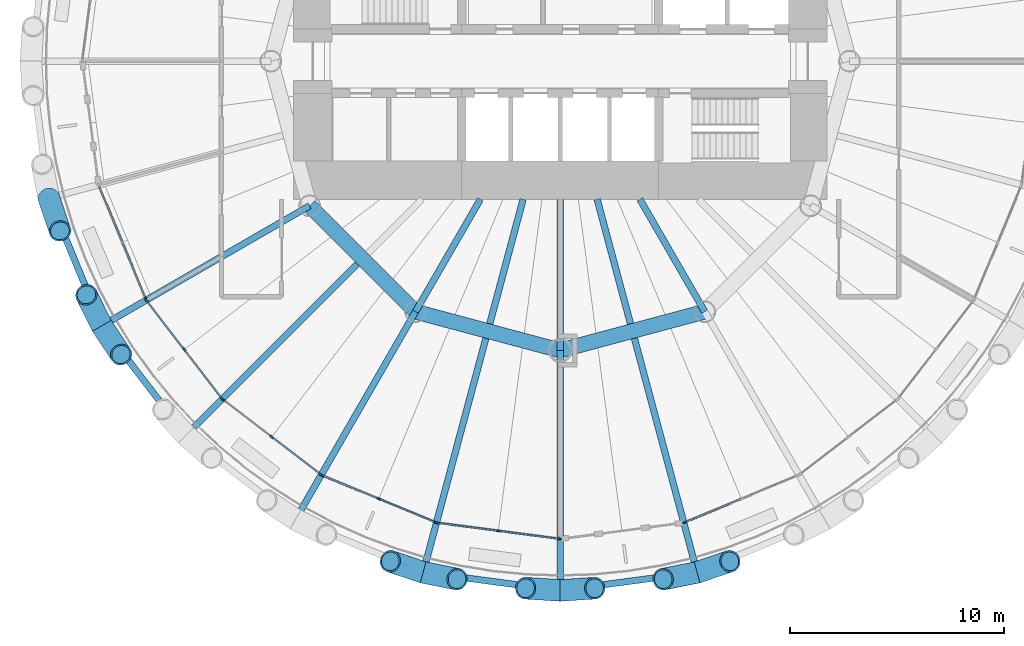
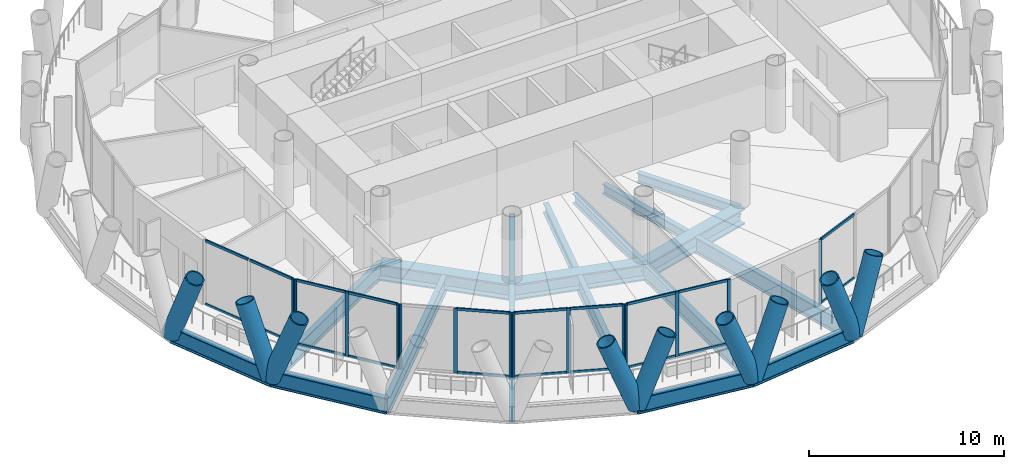
# One storey, part 2 of 14: 43 members, 18 beams, 6 elements without a shape of their own.
"""IFC4 building model written with IfcOpenShell, lengths in metres."""

from ifc_helpers import new_model, si_unit, direction, frame, origin, origin_2d, place, context, subcontext, project, spatial, rectangle, hollow_circle, i_section, extrude, material, material_profile, profile_set, type_object, element, aggregate, save


model = new_model("IFC4")

# Units and contexts
model_context = context("Model", 3, precision=1e-05, world=origin(), true_north=direction((0.0, 1.0)))
body_context = subcontext(model_context, "Body", "Model", "MODEL_VIEW")
ifc_project = project(units=[si_unit("LENGTHUNIT", "METRE"), si_unit("AREAUNIT", "SQUARE_METRE"), si_unit("VOLUMEUNIT", "CUBIC_METRE"), si_unit("PLANEANGLEUNIT", "RADIAN"), si_unit("MASSUNIT", "GRAM", prefix="KILO")], contexts=[model_context])

# Site, building, storey
site_placement = place(None, origin())
site = spatial("IfcSite", under=ifc_project, at=site_placement, CompositionType="ELEMENT")
building_placement = place(site_placement, origin())
building = spatial("IfcBuilding", under=site, at=building_placement, Name="Qaws Media Tower", CompositionType="ELEMENT")
storey_placement = place(building_placement, frame((0.0, 0.0, 160.39990234375)))
storey = spatial("IfcBuildingStorey", under=building, at=storey_placement, Name="L36", CompositionType="ELEMENT", Elevation=160.39990234375)

# Curtain wall, member
ifc_material_1 = material(Name="Aluminium and clear glass", Category="aluminium")
curtain_wall_type = type_object("IfcCurtainWallType", Name="Unitised curtain wall CW-B", PredefinedType="NOTDEFINED", material=ifc_material_1)
curtain_wall_1_placement = place(storey_placement, origin())
curtain_wall_1 = element("IfcCurtainWall", 1, at=curtain_wall_1_placement, inside=storey, type_object=curtain_wall_type, Name="CWB curtain wall L36-14", PredefinedType="NOTDEFINED")
ifc_material_2 = material(Name="Aluminium mullion", Category="aluminium")
ifc_material_profile_1 = material_profile(ifc_material_2, rectangle(XDim=0.080078125, YDim=0.199951171875, at=origin_2d()), Name="80x200")
ifc_profile_set_1 = profile_set([ifc_material_profile_1], Name="Aluminium mullion")
member_type_1 = type_object("IfcMemberType", Name="Curtain wall mullion 80x200", PredefinedType="MULLION", material=ifc_profile_set_1)
member_1_placement = place(storey_placement, frame((40.67236328125, 38.886962890625, 0.0), z_axis=(0.0, 0.0, 1.0), x_axis=(0.923879550732, 0.382683388377, 0.0)))
member_1 = element("IfcMember", 2, at=member_1_placement, type_object=member_type_1, Name="CWB mullion 3", PredefinedType="MULLION", context=body_context, shape_type="SweptSolid", body=[
    extrude(rectangle(XDim=0.080078125, YDim=0.199951171875, at=origin_2d()), origin(), (0.0, 0.0, 1.0), 4.0400390625),
])

# Curtain wall, members
curtain_wall_2_placement = place(storey_placement, origin())
curtain_wall_2 = element("IfcCurtainWall", 3, at=curtain_wall_2_placement, inside=storey, type_object=curtain_wall_type, Name="CWB curtain wall L36-15", PredefinedType="NOTDEFINED")
member_2_placement = place(storey_placement, frame((40.7119140625, 38.818359375, 0.0), z_axis=(0.0, 0.0, 1.0), x_axis=(0.793353266852, 0.608761524717, 0.0)))
member_2 = element("IfcMember", 4, at=member_2_placement, type_object=member_type_1, Name="CWB mullion 1", PredefinedType="MULLION", context=body_context, shape_type="SweptSolid", body=[
    extrude(rectangle(XDim=0.080078125, YDim=0.199951171875, at=origin_2d()), origin(), (0.0, 0.0, 1.0), 4.0400390625),
])
member_3_placement = place(storey_placement, frame((42.45947265625, 36.540771484375, 0.0), z_axis=(0.0, 0.0, 1.0), x_axis=(0.793353266852, 0.608761524717, 0.0)))
member_3 = element("IfcMember", 5, at=member_3_placement, type_object=member_type_1, Name="CWB mullion 2", PredefinedType="MULLION", context=body_context, shape_type="SweptSolid", body=[
    extrude(rectangle(XDim=0.080078125, YDim=0.199951171875, at=origin_2d()), origin(), (0.0, 0.0, 1.0), 4.0400390625),
])
member_4_placement = place(storey_placement, frame((44.207275390625, 34.26318359375, 0.0), z_axis=(0.0, 0.0, 1.0), x_axis=(0.793353266852, 0.608761524717, 0.0)))
member_4 = element("IfcMember", 6, at=member_4_placement, type_object=member_type_1, Name="CWB mullion 3", PredefinedType="MULLION", context=body_context, shape_type="SweptSolid", body=[
    extrude(rectangle(XDim=0.080078125, YDim=0.199951171875, at=origin_2d()), origin(), (0.0, 0.0, 1.0), 4.0400390625),
])

curtain_wall_3_placement = place(storey_placement, origin())
curtain_wall_3 = element("IfcCurtainWall", 7, at=curtain_wall_3_placement, inside=storey, type_object=curtain_wall_type, Name="CWB curtain wall L36-16", PredefinedType="NOTDEFINED")
member_5_placement = place(storey_placement, frame((44.26318359375, 34.207275390625, 0.0), z_axis=(0.0, 0.0, 1.0), x_axis=(0.608761524717, 0.793353266852, 0.0)))
member_5 = element("IfcMember", 8, at=member_5_placement, type_object=member_type_1, Name="CWB mullion 1", PredefinedType="MULLION", context=body_context, shape_type="SweptSolid", body=[
    extrude(rectangle(XDim=0.080078125, YDim=0.199951171875, at=origin_2d()), origin(), (0.0, 0.0, 1.0), 4.0400390625),
])
member_6_placement = place(storey_placement, frame((46.540771484375, 32.45947265625, 0.0), z_axis=(0.0, 0.0, 1.0), x_axis=(0.608761524717, 0.793353266852, 0.0)))
member_6 = element("IfcMember", 9, at=member_6_placement, type_object=member_type_1, Name="CWB mullion 2", PredefinedType="MULLION", context=body_context, shape_type="SweptSolid", body=[
    extrude(rectangle(XDim=0.080078125, YDim=0.199951171875, at=origin_2d()), origin(), (0.0, 0.0, 1.0), 4.0400390625),
])
member_7_placement = place(storey_placement, frame((48.818359375, 30.7119140625, 0.0), z_axis=(0.0, 0.0, 1.0), x_axis=(0.608761524717, 0.793353266852, 0.0)))
member_7 = element("IfcMember", 10, at=member_7_placement, type_object=member_type_1, Name="CWB mullion 3", PredefinedType="MULLION", context=body_context, shape_type="SweptSolid", body=[
    extrude(rectangle(XDim=0.080078125, YDim=0.199951171875, at=origin_2d()), origin(), (0.0, 0.0, 1.0), 4.0400390625),
])

curtain_wall_4_placement = place(storey_placement, origin())
curtain_wall_4 = element("IfcCurtainWall", 11, at=curtain_wall_4_placement, inside=storey, type_object=curtain_wall_type, Name="CWB curtain wall L36-17", PredefinedType="NOTDEFINED")
member_8_placement = place(storey_placement, frame((48.886962890625, 30.67236328125, 0.0), z_axis=(0.0, 0.0, 1.0), x_axis=(0.382683388377, 0.923879550732, 0.0)))
member_8 = element("IfcMember", 12, at=member_8_placement, type_object=member_type_1, Name="CWB mullion 1", PredefinedType="MULLION", context=body_context, shape_type="SweptSolid", body=[
    extrude(rectangle(XDim=0.080078125, YDim=0.199951171875, at=origin_2d()), origin(), (0.0, 0.0, 1.0), 4.0400390625),
])
member_9_placement = place(storey_placement, frame((51.5390625, 29.57373046875, 0.0), z_axis=(0.0, 0.0, 1.0), x_axis=(0.382683388377, 0.923879550732, 0.0)))
member_9 = element("IfcMember", 13, at=member_9_placement, type_object=member_type_1, Name="CWB mullion 2", PredefinedType="MULLION", context=body_context, shape_type="SweptSolid", body=[
    extrude(rectangle(XDim=0.080078125, YDim=0.199951171875, at=origin_2d()), origin(), (0.0, 0.0, 1.0), 4.0400390625),
])
member_10_placement = place(storey_placement, frame((54.19140625, 28.47509765625, 0.0), z_axis=(0.0, 0.0, 1.0), x_axis=(0.382683388377, 0.923879550732, 0.0)))
member_10 = element("IfcMember", 14, at=member_10_placement, type_object=member_type_1, Name="CWB mullion 3", PredefinedType="MULLION", context=body_context, shape_type="SweptSolid", body=[
    extrude(rectangle(XDim=0.080078125, YDim=0.199951171875, at=origin_2d()), origin(), (0.0, 0.0, 1.0), 4.0400390625),
])

curtain_wall_5_placement = place(storey_placement, origin())
curtain_wall_5 = element("IfcCurtainWall", 15, at=curtain_wall_5_placement, inside=storey, type_object=curtain_wall_type, Name="CWB curtain wall L36-18", PredefinedType="NOTDEFINED")
member_11_placement = place(storey_placement, frame((54.26806640625, 28.45458984375, 0.0), z_axis=(0.0, 0.0, 1.0), x_axis=(0.13052617322, 0.991444863875, 0.0)))
member_11 = element("IfcMember", 16, at=member_11_placement, type_object=member_type_1, Name="CWB mullion 1", PredefinedType="MULLION", context=body_context, shape_type="SweptSolid", body=[
    extrude(rectangle(XDim=0.080078125, YDim=0.199951171875, at=origin_2d()), origin(), (0.0, 0.0, 1.0), 4.0400390625),
])
member_12_placement = place(storey_placement, frame((57.1142578125, 28.079833984375, 0.0), z_axis=(0.0, 0.0, 1.0), x_axis=(0.13052617322, 0.991444863875, 0.0)))
member_12 = element("IfcMember", 17, at=member_12_placement, type_object=member_type_1, Name="CWB mullion 2", PredefinedType="MULLION", context=body_context, shape_type="SweptSolid", body=[
    extrude(rectangle(XDim=0.080078125, YDim=0.199951171875, at=origin_2d()), origin(), (0.0, 0.0, 1.0), 4.0400390625),
])
member_13_placement = place(storey_placement, frame((59.96044921875, 27.705322265625, 0.0), z_axis=(0.0, 0.0, 1.0), x_axis=(0.13052617322, 0.991444863875, 0.0)))
member_13 = element("IfcMember", 18, at=member_13_placement, type_object=member_type_1, Name="CWB mullion 3", PredefinedType="MULLION", context=body_context, shape_type="SweptSolid", body=[
    extrude(rectangle(XDim=0.080078125, YDim=0.199951171875, at=origin_2d()), origin(), (0.0, 0.0, 1.0), 4.0400390625),
])

# Curtain wall, member
curtain_wall_6_placement = place(storey_placement, origin())
curtain_wall_6 = element("IfcCurtainWall", 19, at=curtain_wall_6_placement, inside=storey, type_object=curtain_wall_type, Name="CWB curtain wall L36-20", PredefinedType="NOTDEFINED")
member_14_placement = place(storey_placement, frame((65.80859375, 28.47509765625, 0.0), z_axis=(0.0, 0.0, 1.0), x_axis=(-0.382683388377, 0.923879550732, 0.0)))
member_14 = element("IfcMember", 20, at=member_14_placement, type_object=member_type_1, Name="CWB mullion 1", PredefinedType="MULLION", context=body_context, shape_type="SweptSolid", body=[
    extrude(rectangle(XDim=0.080078125, YDim=0.199951171875, at=origin_2d()), origin(), (0.0, 0.0, 1.0), 4.0400390625),
])

# Member
ifc_material_3 = material(Name="Aluminium transom", Category="aluminium")
ifc_material_profile_2 = material_profile(ifc_material_3, rectangle(XDim=0.080078125, YDim=0.159912109375, at=origin_2d()), Name="80x160")
ifc_profile_set_2 = profile_set([ifc_material_profile_2], Name="Aluminium transom")
member_type_2 = type_object("IfcMemberType", Name="Curtain wall transom 80x160", PredefinedType="USERDEFINED", material=ifc_profile_set_2)
member_15_placement = place(storey_placement, frame((38.490478515625, 44.154541015625, 0.0400390625), z_axis=(0.38264539254, -0.923895288205, 0.0), x_axis=(0.923895288205, 0.38264539254, 0.0)))
member_15 = element("IfcMember", 21, at=member_15_placement, type_object=member_type_2, Name="CWB transom 1.1", ObjectType="TRANSOM", PredefinedType="USERDEFINED", context=body_context, shape_type="SweptSolid", body=[
    extrude(rectangle(XDim=0.080078125, YDim=0.159912109375, at=origin_2d()), origin(), (0.0, 0.0, 1.0), 2.790771484375),
])

member_16_placement = place(storey_placement, frame((38.490478515625, 44.154541015625, 4.0), z_axis=(0.38264539254, -0.923895288205, 0.0), x_axis=(0.923895288205, 0.38264539254, 0.0)))
member_16 = element("IfcMember", 22, at=member_16_placement, type_object=member_type_2, Name="CWB transom 1.2", ObjectType="TRANSOM", PredefinedType="USERDEFINED", context=body_context, shape_type="SweptSolid", body=[
    extrude(rectangle(XDim=0.080078125, YDim=0.159912109375, at=origin_2d()), origin(), (0.0, 0.0, 1.0), 2.790771484375),
])

member_17_placement = place(storey_placement, frame((39.589111328125, 41.502197265625, 0.0400390625), z_axis=(0.38264539254, -0.923895288205, 0.0), x_axis=(0.923895288205, 0.38264539254, 0.0)))
member_17 = element("IfcMember", 23, at=member_17_placement, type_object=member_type_2, Name="CWB transom 2.1", ObjectType="TRANSOM", PredefinedType="USERDEFINED", context=body_context, shape_type="SweptSolid", body=[
    extrude(rectangle(XDim=0.080078125, YDim=0.159912109375, at=origin_2d()), origin(), (0.0, 0.0, 1.0), 2.790771484375),
])

member_18_placement = place(storey_placement, frame((39.589111328125, 41.502197265625, 4.0), z_axis=(0.38264539254, -0.923895288205, 0.0), x_axis=(0.923895288205, 0.38264539254, 0.0)))
member_18 = element("IfcMember", 24, at=member_18_placement, type_object=member_type_2, Name="CWB transom 2.2", ObjectType="TRANSOM", PredefinedType="USERDEFINED", context=body_context, shape_type="SweptSolid", body=[
    extrude(rectangle(XDim=0.080078125, YDim=0.159912109375, at=origin_2d()), origin(), (0.0, 0.0, 1.0), 2.790771484375),
])

aggregate(curtain_wall_1, [member_1, member_15, member_16, member_17, member_18])

member_19_placement = place(storey_placement, frame((40.736328125, 38.78662109375, 0.0400390625), z_axis=(0.608767570739, -0.793348627538, 0.0), x_axis=(0.793348627538, 0.608767570739, 0.0)))
member_19 = element("IfcMember", 25, at=member_19_placement, type_object=member_type_2, Name="CWB transom 1.1", ObjectType="TRANSOM", PredefinedType="USERDEFINED", context=body_context, shape_type="SweptSolid", body=[
    extrude(rectangle(XDim=0.080078125, YDim=0.159912109375, at=origin_2d()), origin(), (0.0, 0.0, 1.0), 2.790771484375),
])

member_20_placement = place(storey_placement, frame((40.736328125, 38.78662109375, 4.0), z_axis=(0.608767570739, -0.793348627538, 0.0), x_axis=(0.793348627538, 0.608767570739, 0.0)))
member_20 = element("IfcMember", 26, at=member_20_placement, type_object=member_type_2, Name="CWB transom 1.2", ObjectType="TRANSOM", PredefinedType="USERDEFINED", context=body_context, shape_type="SweptSolid", body=[
    extrude(rectangle(XDim=0.080078125, YDim=0.159912109375, at=origin_2d()), origin(), (0.0, 0.0, 1.0), 2.790771484375),
])

member_21_placement = place(storey_placement, frame((42.48388671875, 36.509033203125, 0.0400390625), z_axis=(0.608767570739, -0.793348627538, 0.0), x_axis=(0.793348627538, 0.608767570739, 0.0)))
member_21 = element("IfcMember", 27, at=member_21_placement, type_object=member_type_2, Name="CWB transom 2.1", ObjectType="TRANSOM", PredefinedType="USERDEFINED", context=body_context, shape_type="SweptSolid", body=[
    extrude(rectangle(XDim=0.080078125, YDim=0.159912109375, at=origin_2d()), origin(), (0.0, 0.0, 1.0), 2.790771484375),
])

member_22_placement = place(storey_placement, frame((42.48388671875, 36.509033203125, 4.0), z_axis=(0.608767570739, -0.793348627538, 0.0), x_axis=(0.793348627538, 0.608767570739, 0.0)))
member_22 = element("IfcMember", 28, at=member_22_placement, type_object=member_type_2, Name="CWB transom 2.2", ObjectType="TRANSOM", PredefinedType="USERDEFINED", context=body_context, shape_type="SweptSolid", body=[
    extrude(rectangle(XDim=0.080078125, YDim=0.159912109375, at=origin_2d()), origin(), (0.0, 0.0, 1.0), 2.790771484375),
])

aggregate(curtain_wall_2, [member_2, member_3, member_4, member_19, member_20, member_21, member_22])

member_23_placement = place(storey_placement, frame((46.572509765625, 32.435302734375, 0.0400390625), z_axis=(0.793348627538, -0.608767570739, 0.0), x_axis=(0.608767570739, 0.793348627538, 0.0)))
member_23 = element("IfcMember", 29, at=member_23_placement, type_object=member_type_2, Name="CWB transom 2.1", ObjectType="TRANSOM", PredefinedType="USERDEFINED", context=body_context, shape_type="SweptSolid", body=[
    extrude(rectangle(XDim=0.080078125, YDim=0.159912109375, at=origin_2d()), origin(), (0.0, 0.0, 1.0), 2.790771484375),
])

member_24_placement = place(storey_placement, frame((46.572509765625, 32.435302734375, 4.0), z_axis=(0.793348627538, -0.608767570739, 0.0), x_axis=(0.608767570739, 0.793348627538, 0.0)))
member_24 = element("IfcMember", 30, at=member_24_placement, type_object=member_type_2, Name="CWB transom 2.2", ObjectType="TRANSOM", PredefinedType="USERDEFINED", context=body_context, shape_type="SweptSolid", body=[
    extrude(rectangle(XDim=0.080078125, YDim=0.159912109375, at=origin_2d()), origin(), (0.0, 0.0, 1.0), 2.790771484375),
])

aggregate(curtain_wall_3, [member_5, member_6, member_7, member_23, member_24])

member_25_placement = place(storey_placement, frame((48.923828125, 30.656982421875, 0.0400390625), z_axis=(0.923895288205, -0.38264539254, 0.0), x_axis=(0.38264539254, 0.923895288205, 0.0)))
member_25 = element("IfcMember", 31, at=member_25_placement, type_object=member_type_2, Name="CWB transom 1.1", ObjectType="TRANSOM", PredefinedType="USERDEFINED", context=body_context, shape_type="SweptSolid", body=[
    extrude(rectangle(XDim=0.080078125, YDim=0.159912109375, at=origin_2d()), origin(), (0.0, 0.0, 1.0), 2.790771484375),
])

member_26_placement = place(storey_placement, frame((48.923828125, 30.656982421875, 4.0), z_axis=(0.923895288205, -0.38264539254, 0.0), x_axis=(0.38264539254, 0.923895288205, 0.0)))
member_26 = element("IfcMember", 32, at=member_26_placement, type_object=member_type_2, Name="CWB transom 1.2", ObjectType="TRANSOM", PredefinedType="USERDEFINED", context=body_context, shape_type="SweptSolid", body=[
    extrude(rectangle(XDim=0.080078125, YDim=0.159912109375, at=origin_2d()), origin(), (0.0, 0.0, 1.0), 2.790771484375),
])

member_27_placement = place(storey_placement, frame((51.576171875, 29.558349609375, 0.0400390625), z_axis=(0.923895288205, -0.38264539254, 0.0), x_axis=(0.38264539254, 0.923895288205, 0.0)))
member_27 = element("IfcMember", 33, at=member_27_placement, type_object=member_type_2, Name="CWB transom 2.1", ObjectType="TRANSOM", PredefinedType="USERDEFINED", context=body_context, shape_type="SweptSolid", body=[
    extrude(rectangle(XDim=0.080078125, YDim=0.159912109375, at=origin_2d()), origin(), (0.0, 0.0, 1.0), 2.790771484375),
])

member_28_placement = place(storey_placement, frame((51.576171875, 29.558349609375, 4.0), z_axis=(0.923895288205, -0.38264539254, 0.0), x_axis=(0.38264539254, 0.923895288205, 0.0)))
member_28 = element("IfcMember", 34, at=member_28_placement, type_object=member_type_2, Name="CWB transom 2.2", ObjectType="TRANSOM", PredefinedType="USERDEFINED", context=body_context, shape_type="SweptSolid", body=[
    extrude(rectangle(XDim=0.080078125, YDim=0.159912109375, at=origin_2d()), origin(), (0.0, 0.0, 1.0), 2.790771484375),
])

aggregate(curtain_wall_4, [member_8, member_9, member_10, member_25, member_26, member_27, member_28])

member_29_placement = place(storey_placement, frame((54.3076171875, 28.449462890625, 0.0400390625), z_axis=(0.991445062381, -0.130524665408, 0.0), x_axis=(0.130524665408, 0.991445062381, 0.0)))
member_29 = element("IfcMember", 35, at=member_29_placement, type_object=member_type_2, Name="CWB transom 1.1", ObjectType="TRANSOM", PredefinedType="USERDEFINED", context=body_context, shape_type="SweptSolid", body=[
    extrude(rectangle(XDim=0.080078125, YDim=0.159912109375, at=origin_2d()), origin(), (0.0, 0.0, 1.0), 2.790771484375),
])

member_30_placement = place(storey_placement, frame((54.3076171875, 28.449462890625, 4.0), z_axis=(0.991445062381, -0.130524665408, 0.0), x_axis=(0.130524665408, 0.991445062381, 0.0)))
member_30 = element("IfcMember", 36, at=member_30_placement, type_object=member_type_2, Name="CWB transom 1.2", ObjectType="TRANSOM", PredefinedType="USERDEFINED", context=body_context, shape_type="SweptSolid", body=[
    extrude(rectangle(XDim=0.080078125, YDim=0.159912109375, at=origin_2d()), origin(), (0.0, 0.0, 1.0), 2.790771484375),
])

member_31_placement = place(storey_placement, frame((57.15380859375, 28.07470703125, 0.0400390625), z_axis=(0.991445062381, -0.130524665408, 0.0), x_axis=(0.130524665408, 0.991445062381, 0.0)))
member_31 = element("IfcMember", 37, at=member_31_placement, type_object=member_type_2, Name="CWB transom 2.1", ObjectType="TRANSOM", PredefinedType="USERDEFINED", context=body_context, shape_type="SweptSolid", body=[
    extrude(rectangle(XDim=0.080078125, YDim=0.159912109375, at=origin_2d()), origin(), (0.0, 0.0, 1.0), 2.790771484375),
])

member_32_placement = place(storey_placement, frame((57.15380859375, 28.07470703125, 4.0), z_axis=(0.991445062381, -0.130524665408, 0.0), x_axis=(0.130524665408, 0.991445062381, 0.0)))
member_32 = element("IfcMember", 38, at=member_32_placement, type_object=member_type_2, Name="CWB transom 2.2", ObjectType="TRANSOM", PredefinedType="USERDEFINED", context=body_context, shape_type="SweptSolid", body=[
    extrude(rectangle(XDim=0.080078125, YDim=0.159912109375, at=origin_2d()), origin(), (0.0, 0.0, 1.0), 2.790771484375),
])

aggregate(curtain_wall_5, [member_11, member_12, member_13, member_29, member_30, member_31, member_32])

member_33_placement = place(storey_placement, frame((65.845458984375, 28.490478515625, 0.0400390625), z_axis=(0.923895288205, 0.38264539254, 0.0), x_axis=(-0.38264539254, 0.923895288205, 0.0)))
member_33 = element("IfcMember", 39, at=member_33_placement, type_object=member_type_2, Name="CWB transom 1.1", ObjectType="TRANSOM", PredefinedType="USERDEFINED", context=body_context, shape_type="SweptSolid", body=[
    extrude(rectangle(XDim=0.080078125, YDim=0.159912109375, at=origin_2d()), origin(), (0.0, 0.0, 1.0), 2.790771484375),
])

member_34_placement = place(storey_placement, frame((65.845458984375, 28.490478515625, 4.0), z_axis=(0.923895288205, 0.38264539254, 0.0), x_axis=(-0.38264539254, 0.923895288205, 0.0)))
member_34 = element("IfcMember", 40, at=member_34_placement, type_object=member_type_2, Name="CWB transom 1.2", ObjectType="TRANSOM", PredefinedType="USERDEFINED", context=body_context, shape_type="SweptSolid", body=[
    extrude(rectangle(XDim=0.080078125, YDim=0.159912109375, at=origin_2d()), origin(), (0.0, 0.0, 1.0), 2.790771484375),
])

aggregate(curtain_wall_6, [member_14, member_33, member_34])

# Members
ifc_material_4 = material(Name="Steel S460", Category="steel")
ifc_material_profile_3 = material_profile(ifc_material_4, hollow_circle(Radius=0.508056640625, WallThickness=0.070068359375, at=origin_2d()), Name="CHS 1016x70")
ifc_profile_set_3 = profile_set([ifc_material_profile_3], Name="Steel S460")
member_type_3 = type_object("IfcMemberType", Name="Diagrid member CHS 1016x70", PredefinedType="USERDEFINED", material=ifc_profile_set_3)
for number, where, z_axis, x_axis, name in (
    (41, (36.1416015625, 43.607177734375, -0.663818359375), (0.11480120197, -0.340171803568, 0.933329431703), (0.947498002128, 0.319761686204, 0.0), "DG3 diagrid L36 A14"),
    (42, (38.609130859375, 37.64990234375, -0.663818359375), (0.19895054593, -0.298832726202, 0.933336853459), (0.832398880885, 0.554176960096, 0.0), "DG3 diagrid L36 A15"),
    (43, (38.609130859375, 37.64990234375, -0.663818359375), (-0.159343513998, 0.321725242768, 0.933328727037), (-0.896113276211, -0.443825411844, 0.0), "DG3 diagrid L36 B15"),
):
    element("IfcMember", number, at=place(storey_placement, frame(where, z_axis=z_axis, x_axis=x_axis)), inside=storey, type_object=member_type_3, Name=name, ObjectType="DIAGRID", PredefinedType="USERDEFINED", context=body_context, shape_type="SweptSolid", body=[
        extrude(hollow_circle(Radius=0.508056640625, WallThickness=0.070068359375, at=origin_2d()), origin(), (0.0, 0.0, 1.0), 4.5),
    ])
member_35_placement = place(storey_placement, frame((53.607177734375, 26.1416015625, -0.663818359375), z_axis=(0.351952137721, -0.070640000511, 0.93334863962), x_axis=(0.196784594478, 0.980446746833, 0.0)))
element("IfcMember", 44, at=member_35_placement, inside=storey, type_object=member_type_3, Name="DG3 diagrid L36 A18", ObjectType="DIAGRID", PredefinedType="USERDEFINED", context=body_context, shape_type="SweptSolid", body=[
    extrude(hollow_circle(Radius=0.508056640625, WallThickness=0.070068359375, at=origin_2d()), origin(), (0.0, 0.0, 1.0), 4.499755859375),
])
for number, where, z_axis, x_axis, name in (
    (45, (53.607177734375, 26.1416015625, -0.663818359375), (-0.340171803568, 0.11480120197, 0.933329431703), (-0.319761686204, -0.947498002128, 0.0), "DG3 diagrid L36 B18"),
    (46, (60.0, 25.300048828125, -0.663818359375), (0.358292755875, 0.022840891918, 0.933329842416), (-0.063620099001, 0.997974189548, 0.0), "DG3 diagrid L36 A19"),
    (47, (60.0, 25.300048828125, -0.663818359375), (-0.358292755875, 0.022840891918, 0.933329842416), (-0.063620099001, -0.997974189548, 0.0), "DG3 diagrid L36 B19"),
    (48, (66.392822265625, 26.1416015625, -0.663818359375), (0.340171803568, 0.11480120197, 0.933329431703), (-0.319761686204, 0.947498002128, 0.0), "DG3 diagrid L36 A20"),
):
    element("IfcMember", number, at=place(storey_placement, frame(where, z_axis=z_axis, x_axis=x_axis)), inside=storey, type_object=member_type_3, Name=name, ObjectType="DIAGRID", PredefinedType="USERDEFINED", context=body_context, shape_type="SweptSolid", body=[
        extrude(hollow_circle(Radius=0.508056640625, WallThickness=0.070068359375, at=origin_2d()), origin(), (0.0, 0.0, 1.0), 4.5),
    ])
member_36_placement = place(storey_placement, frame((66.392822265625, 26.1416015625, -0.663818359375), z_axis=(-0.351952137721, -0.070640000511, 0.93334863962), x_axis=(0.196784594478, -0.980446746833, 0.0)))
element("IfcMember", 49, at=member_36_placement, inside=storey, type_object=member_type_3, Name="DG3 diagrid L36 B20", ObjectType="DIAGRID", PredefinedType="USERDEFINED", context=body_context, shape_type="SweptSolid", body=[
    extrude(hollow_circle(Radius=0.508056640625, WallThickness=0.070068359375, at=origin_2d()), origin(), (0.0, 0.0, 1.0), 4.499755859375),
])

# Beams
ifc_material_5 = material(Name="Steel S460", Category="steel")
ifc_material_profile_4 = material_profile(ifc_material_5, i_section(OverallWidth=0.302001953125, OverallDepth=1.008056640625, WebThickness=0.02099609375, FlangeThickness=0.0400390625, FilletRadius=0.030029296875, at=origin_2d()), Name="HE 1000 M")
ifc_profile_set_4 = profile_set([ifc_material_profile_4], Name="Steel S460")
beam_type_1 = type_object("IfcBeamType", Name="Edge ring beam HE 1000 M", PredefinedType="BEAM", material=ifc_profile_set_4)
for number, where, z_axis, x_axis, name in (
    (50, (36.1416015625, 43.607177734375, -0.663818359375), (0.382676156503, -0.923882546238, 0.0), (0.923882546238, 0.382676156503, 0.0), "RB3 edge ring beam L36-14"),
    (51, (38.609130859375, 37.64990234375, -0.663818359375), (0.608766138604, -0.793349726469, 0.0), (0.793349726469, 0.608766138604, 0.0), "RB3 edge ring beam L36-15"),
    (52, (53.607177734375, 26.1416015625, -0.663818359375), (0.991446432436, -0.130514258263, 0.0), (0.130514258263, 0.991446432436, 0.0), "RB3 edge ring beam L36-18"),
    (53, (60.0, 25.300048828125, -0.663818359375), (0.991446432436, 0.130514258263, 0.0), (-0.130514258263, 0.991446432436, 0.0), "RB3 edge ring beam L36-19"),
):
    element("IfcBeam", number, at=place(storey_placement, frame(where, z_axis=z_axis, x_axis=x_axis)), inside=storey, type_object=beam_type_1, Name=name, PredefinedType="BEAM", context=body_context, shape_type="SweptSolid", body=[
        extrude(i_section(OverallWidth=0.302001953125, OverallDepth=1.008056640625, WebThickness=0.02099609375, FlangeThickness=0.0400390625, FilletRadius=0.030029296875, at=origin_2d()), origin(), (0.0, 0.0, 1.0), 6.447998046875),
    ])
ifc_material_6 = material(Name="Steel S460", Category="steel")
ifc_material_profile_5 = material_profile(ifc_material_6, i_section(OverallWidth=0.699951171875, OverallDepth=1.0, WebThickness=0.034912109375, FlangeThickness=0.090087890625, at=origin_2d()), Name="PG 1000x700")
ifc_profile_set_5 = profile_set([ifc_material_profile_5], Name="Steel S460")
beam_type_2 = type_object("IfcBeamType", Name="Inner ring girder PG 1000x700", PredefinedType="BEAM", material=ifc_profile_set_5)
beam_1_placement = place(storey_placement, frame((48.30859375, 43.25, -0.659912109375), z_axis=(0.707106781187, -0.707106781187, 0.0), x_axis=(0.707106781187, 0.707106781187, 0.0)))
element("IfcBeam", 54, at=beam_1_placement, inside=storey, type_object=beam_type_2, Name="B3 inner ring beam L36 I08-I09", PredefinedType="BEAM", context=body_context, shape_type="SweptSolid", body=[
    extrude(i_section(OverallWidth=0.699951171875, OverallDepth=1.0, WebThickness=0.034912109375, FlangeThickness=0.090087890625, at=origin_2d()), origin(), (0.0, 0.0, 1.0), 6.98828125),
])
for number, where, z_axis, x_axis, name in (
    (55, (53.25, 38.30859375, -0.659912109375), (0.965928090778, -0.258810593767, 0.0), (0.258810593767, 0.965928090778, 0.0), "B3 inner ring beam L36 I09-I10"),
    (56, (60.0, 36.5, -0.659912109375), (0.965928090778, 0.258810593767, 0.0), (-0.258810593767, 0.965928090778, 0.0), "B3 inner ring beam L36 I10-I11"),
):
    element("IfcBeam", number, at=place(storey_placement, frame(where, z_axis=z_axis, x_axis=x_axis)), inside=storey, type_object=beam_type_2, Name=name, PredefinedType="BEAM", context=body_context, shape_type="SweptSolid", body=[
        extrude(i_section(OverallWidth=0.699951171875, OverallDepth=1.0, WebThickness=0.034912109375, FlangeThickness=0.090087890625, at=origin_2d()), origin(), (0.0, 0.0, 1.0), 6.988037109375),
    ])
ifc_material_7 = material(Name="Steel S355", Category="steel")
ifc_material_profile_6 = material_profile(ifc_material_7, i_section(OverallWidth=0.302001953125, OverallDepth=1.008056640625, WebThickness=0.02099609375, FlangeThickness=0.0400390625, FilletRadius=0.030029296875, at=origin_2d()), Name="HE 1000 M")
ifc_profile_set_6 = profile_set([ifc_material_profile_6], Name="Steel S355")
beam_type_3 = type_object("IfcBeamType", Name="Radial beam HE 1000 M", PredefinedType="BEAM", material=ifc_profile_set_6)
beam_2_placement = place(storey_placement, frame((48.30859375, 43.25, -0.663818359375), z_axis=(-0.866021145342, -0.500007375767, 0.0), x_axis=(0.500007375767, -0.866021145342, 0.0)))
element("IfcBeam", 57, at=beam_2_placement, inside=storey, type_object=beam_type_3, Name="B1 radial beam L36 15", PredefinedType="BEAM", context=body_context, shape_type="SweptSolid", body=[
    extrude(i_section(OverallWidth=0.302001953125, OverallDepth=1.008056640625, WebThickness=0.02099609375, FlangeThickness=0.0400390625, FilletRadius=0.030029296875, at=origin_2d()), origin(), (0.0, 0.0, 1.0), 11.199951171875),
])
beam_3_placement = place(storey_placement, frame((50.53173828125, 40.53173828125, -0.663818359375), z_axis=(-0.707106781187, -0.707106781187, 0.0), x_axis=(0.707106781187, -0.707106781187, 0.0)))
element("IfcBeam", 58, at=beam_3_placement, inside=storey, type_object=beam_type_3, Name="B1 radial beam L36 16", PredefinedType="BEAM", context=body_context, shape_type="SweptSolid", body=[
    extrude(i_section(OverallWidth=0.302001953125, OverallDepth=1.008056640625, WebThickness=0.02099609375, FlangeThickness=0.0400390625, FilletRadius=0.030029296875, at=origin_2d()), origin(), (0.0, 0.0, 1.0), 11.309814453125),
])
beam_4_placement = place(storey_placement, frame((53.25, 38.30859375, -0.663818359375), z_axis=(-0.500007375767, -0.866021145342, 0.0), x_axis=(0.866021145342, -0.500007375767, 0.0)))
element("IfcBeam", 59, at=beam_4_placement, inside=storey, type_object=beam_type_3, Name="B1 radial beam L36 17", PredefinedType="BEAM", context=body_context, shape_type="SweptSolid", body=[
    extrude(i_section(OverallWidth=0.302001953125, OverallDepth=1.008056640625, WebThickness=0.02099609375, FlangeThickness=0.0400390625, FilletRadius=0.030029296875, at=origin_2d()), origin(), (0.0, 0.0, 1.0), 11.199951171875),
])
beam_5_placement = place(storey_placement, frame((56.534423828125, 37.066162109375, -0.663818359375), z_axis=(-0.258820605704, -0.965925408126, 0.0), x_axis=(0.965925408126, -0.258820605704, 0.0)))
element("IfcBeam", 60, at=beam_5_placement, inside=storey, type_object=beam_type_3, Name="B1 radial beam L36 18", PredefinedType="BEAM", context=body_context, shape_type="SweptSolid", body=[
    extrude(i_section(OverallWidth=0.302001953125, OverallDepth=1.008056640625, WebThickness=0.02099609375, FlangeThickness=0.0400390625, FilletRadius=0.030029296875, at=origin_2d()), origin(), (0.0, 0.0, 1.0), 11.31005859375),
])
beam_6_placement = place(storey_placement, frame((60.0, 36.5, -0.663818359375), z_axis=(0.0, -1.0, 0.0), x_axis=(1.0, 0.0, 0.0)))
element("IfcBeam", 61, at=beam_6_placement, inside=storey, type_object=beam_type_3, Name="B1 radial beam L36 19", PredefinedType="BEAM", context=body_context, shape_type="SweptSolid", body=[
    extrude(i_section(OverallWidth=0.302001953125, OverallDepth=1.008056640625, WebThickness=0.02099609375, FlangeThickness=0.0400390625, FilletRadius=0.030029296875, at=origin_2d()), origin(), (0.0, 0.0, 1.0), 11.199951171875),
])
beam_7_placement = place(storey_placement, frame((63.465576171875, 37.066162109375, -0.663818359375), z_axis=(0.258820605704, -0.965925408126, 0.0), x_axis=(0.965925408126, 0.258820605704, 0.0)))
element("IfcBeam", 62, at=beam_7_placement, inside=storey, type_object=beam_type_3, Name="B1 radial beam L36 20", PredefinedType="BEAM", context=body_context, shape_type="SweptSolid", body=[
    extrude(i_section(OverallWidth=0.302001953125, OverallDepth=1.008056640625, WebThickness=0.02099609375, FlangeThickness=0.0400390625, FilletRadius=0.030029296875, at=origin_2d()), origin(), (0.0, 0.0, 1.0), 11.31005859375),
])
ifc_material_8 = material(Name="Steel S355", Category="steel")
ifc_material_profile_7 = material_profile(ifc_material_8, i_section(OverallWidth=0.304931640625, OverallDepth=0.6201171875, WebThickness=0.02099609375, FlangeThickness=0.0400390625, FilletRadius=0.027099609375, at=origin_2d()), Name="HE 600 M")
ifc_profile_set_7 = profile_set([ifc_material_profile_7], Name="Steel S355")
beam_type_4 = type_object("IfcBeamType", Name="Radial beam HE 600 M, core side", PredefinedType="BEAM", material=ifc_profile_set_7)
beam_8_placement = place(storey_placement, frame((56.276123046875, 43.550048828125, -0.469970703125), z_axis=(-0.499995978368, -0.866027725662, 0.0), x_axis=(0.866027725662, -0.499995978368, 0.0)))
element("IfcBeam", 63, at=beam_8_placement, inside=storey, type_object=beam_type_4, Name="B2 radial beam L36 17", PredefinedType="BEAM", context=body_context, shape_type="SweptSolid", body=[
    extrude(i_section(OverallWidth=0.304931640625, OverallDepth=0.6201171875, WebThickness=0.02099609375, FlangeThickness=0.0400390625, FilletRadius=0.027099609375, at=origin_2d()), origin(), (0.0, 0.0, 1.0), 6.05224609375),
])
beam_9_placement = place(storey_placement, frame((58.271728515625, 43.550048828125, -0.469970703125), z_axis=(-0.258819977482, -0.965925576458, 0.0), x_axis=(0.965925576458, -0.258819977482, 0.0)))
element("IfcBeam", 64, at=beam_9_placement, inside=storey, type_object=beam_type_4, Name="B2 radial beam L36 18", PredefinedType="BEAM", context=body_context, shape_type="SweptSolid", body=[
    extrude(i_section(OverallWidth=0.304931640625, OverallDepth=0.6201171875, WebThickness=0.02099609375, FlangeThickness=0.0400390625, FilletRadius=0.027099609375, at=origin_2d()), origin(), (0.0, 0.0, 1.0), 6.012451171875),
])
beam_10_placement = place(storey_placement, frame((60.0, 43.550048828125, -0.469970703125), z_axis=(0.0, -1.0, 0.0), x_axis=(1.0, 0.0, 0.0)))
element("IfcBeam", 65, at=beam_10_placement, inside=storey, type_object=beam_type_4, Name="B2 radial beam L36 19", PredefinedType="BEAM", context=body_context, shape_type="SweptSolid", body=[
    extrude(i_section(OverallWidth=0.304931640625, OverallDepth=0.6201171875, WebThickness=0.02099609375, FlangeThickness=0.0400390625, FilletRadius=0.027099609375, at=origin_2d()), origin(), (0.0, 0.0, 1.0), 7.050048828125),
])
beam_11_placement = place(storey_placement, frame((61.728271484375, 43.550048828125, -0.469970703125), z_axis=(0.258819977482, -0.965925576458, 0.0), x_axis=(0.965925576458, 0.258819977482, 0.0)))
element("IfcBeam", 66, at=beam_11_placement, inside=storey, type_object=beam_type_4, Name="B2 radial beam L36 20", PredefinedType="BEAM", context=body_context, shape_type="SweptSolid", body=[
    extrude(i_section(OverallWidth=0.304931640625, OverallDepth=0.6201171875, WebThickness=0.02099609375, FlangeThickness=0.0400390625, FilletRadius=0.027099609375, at=origin_2d()), origin(), (0.0, 0.0, 1.0), 6.012451171875),
])
beam_12_placement = place(storey_placement, frame((63.723876953125, 43.550048828125, -0.469970703125), z_axis=(0.499995978368, -0.866027725662, 0.0), x_axis=(0.866027725662, 0.499995978368, 0.0)))
element("IfcBeam", 67, at=beam_12_placement, inside=storey, type_object=beam_type_4, Name="B2 radial beam L36 21", PredefinedType="BEAM", context=body_context, shape_type="SweptSolid", body=[
    extrude(i_section(OverallWidth=0.304931640625, OverallDepth=0.6201171875, WebThickness=0.02099609375, FlangeThickness=0.0400390625, FilletRadius=0.027099609375, at=origin_2d()), origin(), (0.0, 0.0, 1.0), 6.05224609375),
])

save(model, "model.ifc")
